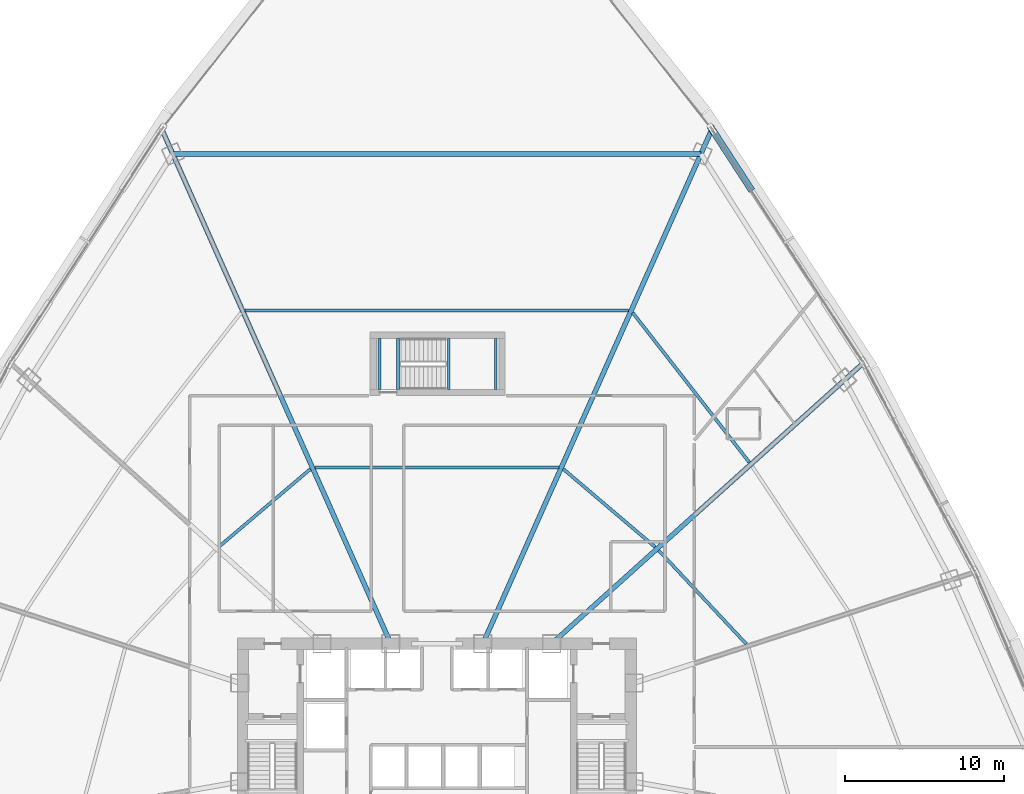
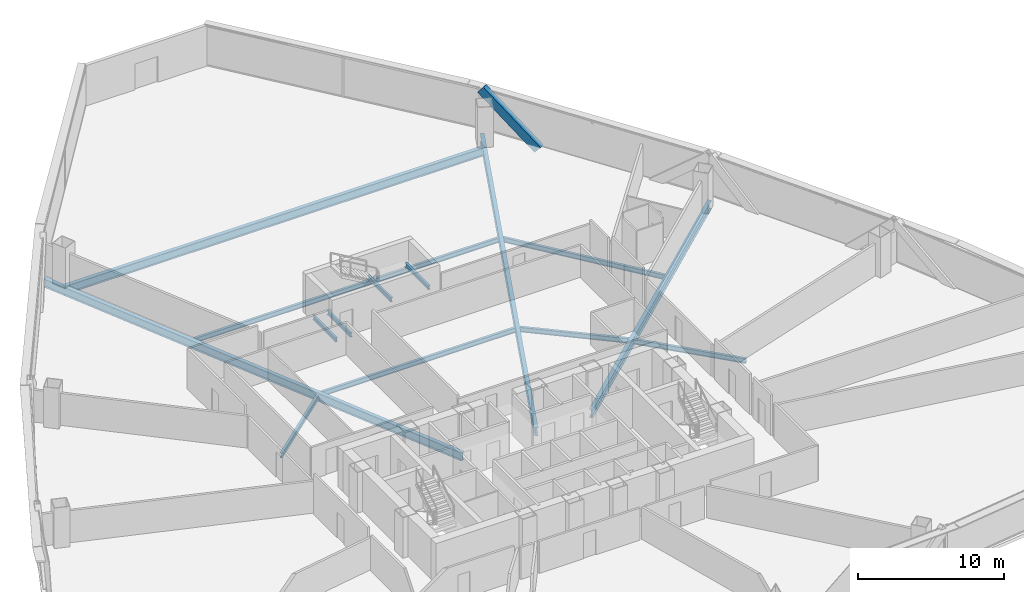
# One storey, part 19 of 42: 14 beams, 1 member.
"""IFC4 building model written with IfcOpenShell, lengths in metres."""

from ifc_helpers import new_model, si_unit, direction, frame, origin, origin_2d, place, context, subcontext, project, spatial, hollow_rectangle, i_section, extrude, source, transform, mapped, material, material_profile, profile_set, type_object, element, save


model = new_model("IFC4")

# Units and contexts
model_context = context("Model", 3, precision=1e-05, world=origin(), true_north=direction((0.0, 1.0)))
body_context = subcontext(model_context, "Body", "Model", "MODEL_VIEW")
ifc_project = project(units=[si_unit("LENGTHUNIT", "METRE"), si_unit("AREAUNIT", "SQUARE_METRE"), si_unit("VOLUMEUNIT", "CUBIC_METRE"), si_unit("PLANEANGLEUNIT", "RADIAN"), si_unit("MASSUNIT", "GRAM", prefix="KILO"), si_unit("THERMODYNAMICTEMPERATUREUNIT", "KELVIN"), si_unit("POWERUNIT", "WATT")], contexts=[model_context])

# Site, building, storey
site_placement = place(None, origin())
site = spatial("IfcSite", under=ifc_project, at=site_placement, CompositionType="ELEMENT")
building_placement = place(site_placement, origin())
building = spatial("IfcBuilding", under=site, at=building_placement, Name="Yunzhuo Pagoda Commons", CompositionType="ELEMENT")
storey_placement = place(building_placement, frame((0.0, 0.0, 44.919921875)))
storey = spatial("IfcBuildingStorey", under=building, at=storey_placement, Name="L11", CompositionType="ELEMENT", Elevation=44.919921875)

# Beams
ifc_material_1 = material(Name="Structural steel Q355B", Category="steel")
ifc_material_profile_1 = material_profile(ifc_material_1, i_section(OverallWidth=0.175048828125, OverallDepth=0.35009765625, WebThickness=0.007080078125, FlangeThickness=0.010986328125, at=origin_2d()), Name="Structural steel Q355B")
ifc_profile_set_1 = profile_set([ifc_material_profile_1], Name="Structural steel Q355B")
beam_type_1 = type_object("IfcBeamType", Name="B-JS2 Joist HN 350x175x7x11", PredefinedType="JOIST", material=ifc_profile_set_1)
shared_shape_1 = source(origin(), body_context, "Body", "SweptSolid", [
    extrude(i_section(OverallWidth=0.175048828125, OverallDepth=0.35009765625, WebThickness=0.007080078125, FlangeThickness=0.010986328125, at=origin_2d()), origin(), (0.0, 0.0, 1.0), 3.199951171875),
])
for number, where, z_axis, x_axis, name in (
    (1, (48.75, 56.199951171875, 1.440185546875), (0.0, 1.0, 0.0), (-1.0, 0.0, 0.0), "L11 ST3 landing support beam 15A"),
    (2, (51.699951171875, 56.199951171875, 1.440185546875), (0.0, 1.0, 0.0), (-1.0, 0.0, 0.0), "L11 ST3 landing support beam 15B"),
    (3, (44.39990234375, 56.199951171875, -0.375), (0.0, 1.0, 0.0), (-1.0, 0.0, 0.0), "L11 ST3 landing support beam 85A"),
    (4, (45.550048828125, 56.199951171875, -0.375), (0.0, 1.0, 0.0), (-1.0, 0.0, 0.0), "L11 ST3 landing support beam 85B"),
):
    element("IfcBeam", number, at=place(storey_placement, frame(where, z_axis=z_axis, x_axis=x_axis)), inside=storey, type_object=beam_type_1, Name=name, PredefinedType="JOIST", context=body_context, shape_type="MappedRepresentation", body=[
        mapped(shared_shape_1, transform((0.0, 0.0, 0.0), scale=1.0)),
    ])
ifc_material_profile_2 = material_profile(ifc_material_1, i_section(OverallWidth=0.300048828125, OverallDepth=0.699951171875, WebThickness=0.012939453125, FlangeThickness=0.02392578125, at=origin_2d()), Name="Structural steel Q355B")
ifc_profile_set_2 = profile_set([ifc_material_profile_2], Name="Structural steel Q355B")
beam_type_2 = type_object("IfcBeamType", Name="B-RG1 Beam HN 700x300x13x24", PredefinedType="BEAM", material=ifc_profile_set_2)
shared_shape_2 = source(origin(), body_context, "Body", "SweptSolid", [
    extrude(i_section(OverallWidth=0.300048828125, OverallDepth=0.699951171875, WebThickness=0.012939453125, FlangeThickness=0.02392578125, at=origin_2d()), origin(), (0.0, 0.0, 1.0), 33.2216796875),
])
beam_1_placement = place(storey_placement, frame((64.61083984375, 71.008544921875, -0.60986328125), z_axis=(-1.0, 0.0, 0.0), x_axis=(0.0, -1.0, 0.0)))
element("IfcBeam", 5, at=beam_1_placement, inside=storey, type_object=beam_type_2, Name="L11 column-ring beam 8", PredefinedType="BEAM", context=body_context, shape_type="MappedRepresentation", body=[
    mapped(shared_shape_2, transform((0.0, 0.0, 0.0), scale=1.0)),
])
ifc_material_profile_3 = material_profile(ifc_material_1, i_section(OverallWidth=0.199951171875, OverallDepth=0.39990234375, WebThickness=0.008056640625, FlangeThickness=0.012939453125, at=origin_2d()), Name="Structural steel Q355B")
ifc_profile_set_3 = profile_set([ifc_material_profile_3], Name="Structural steel Q355B")
beam_type_3 = type_object("IfcBeamType", Name="B-JS1 Joist HN 400x200x8x13", PredefinedType="JOIST", material=ifc_profile_set_3)
shared_shape_3 = source(origin(), body_context, "Body", "SweptSolid", [
    extrude(i_section(OverallWidth=0.199951171875, OverallDepth=0.39990234375, WebThickness=0.008056640625, FlangeThickness=0.012939453125, at=origin_2d()), origin(), (0.0, 0.0, 1.0), 8.055908203125),
])
beam_2_placement = place(storey_placement, frame((67.468017578125, 40.177001953125, -0.4599609375), z_axis=(-0.683432879027, 0.730013355949, 0.0), x_axis=(-0.730013355949, -0.683432879027, 0.0)))
element("IfcBeam", 6, at=beam_2_placement, inside=storey, type_object=beam_type_3, Name="L11 composite ring joist 1.6", PredefinedType="JOIST", context=body_context, shape_type="MappedRepresentation", body=[
    mapped(shared_shape_3, transform((0.0, 0.0, 0.0), scale=1.0)),
])
shared_shape_4 = source(origin(), body_context, "Body", "SweptSolid", [
    extrude(i_section(OverallWidth=0.199951171875, OverallDepth=0.39990234375, WebThickness=0.008056640625, FlangeThickness=0.012939453125, at=origin_2d()), origin(), (0.0, 0.0, 1.0), 7.583984375),
])
for number, where, z_axis, x_axis, name in (
    (7, (61.732421875, 46.277099609375, -0.4599609375), (-0.762037799133, 0.647532541803, 0.0), (-0.647532541803, -0.762037799133, 0.0), "L11 composite ring joist 1.7"),
    (8, (40.046875, 51.18798828125, -0.4599609375), (-0.762037799133, -0.647532541803, 0.0), (0.647532541803, -0.762037799133, 0.0), "L11 composite ring joist 1.9"),
):
    element("IfcBeam", number, at=place(storey_placement, frame(where, z_axis=z_axis, x_axis=x_axis)), inside=storey, type_object=beam_type_3, Name=name, PredefinedType="JOIST", context=body_context, shape_type="MappedRepresentation", body=[
        mapped(shared_shape_4, transform((0.0, 0.0, 0.0), scale=1.0)),
    ])
shared_shape_5 = source(origin(), body_context, "Body", "SweptSolid", [
    extrude(i_section(OverallWidth=0.199951171875, OverallDepth=0.39990234375, WebThickness=0.008056640625, FlangeThickness=0.012939453125, at=origin_2d()), origin(), (0.0, 0.0, 1.0), 11.9345703125),
])
beam_3_placement = place(storey_placement, frame((67.65380859375, 51.609619140625, -0.4599609375), z_axis=(-0.614572048085, 0.788860696012, 0.0), x_axis=(-0.788860696012, -0.614572048085, 0.0)))
element("IfcBeam", 9, at=beam_3_placement, inside=storey, type_object=beam_type_3, Name="L11 composite ring joist 2.7", PredefinedType="JOIST", context=body_context, shape_type="MappedRepresentation", body=[
    mapped(shared_shape_5, transform((0.0, 0.0, 0.0), scale=1.0)),
])
shared_shape_6 = source(origin(), body_context, "Body", "SweptSolid", [
    extrude(i_section(OverallWidth=0.199951171875, OverallDepth=0.39990234375, WebThickness=0.008056640625, FlangeThickness=0.012939453125, at=origin_2d()), origin(), (0.0, 0.0, 1.0), 15.34619140625),
])
beam_4_placement = place(storey_placement, frame((55.673095703125, 51.291015625, -0.4599609375), z_axis=(-1.0, 0.0, 0.0), x_axis=(0.0, -1.0, 0.0)))
element("IfcBeam", 10, at=beam_4_placement, inside=storey, type_object=beam_type_3, Name="L11 composite ring joist 1.8", PredefinedType="JOIST", context=body_context, shape_type="MappedRepresentation", body=[
    mapped(shared_shape_6, transform((0.0, 0.0, 0.0), scale=1.0)),
])
shared_shape_7 = source(origin(), body_context, "Body", "SweptSolid", [
    extrude(i_section(OverallWidth=0.199951171875, OverallDepth=0.39990234375, WebThickness=0.008056640625, FlangeThickness=0.012939453125, at=origin_2d()), origin(), (0.0, 0.0, 1.0), 24.125),
])
beam_5_placement = place(storey_placement, frame((60.0625, 61.14990234375, -0.4599609375), z_axis=(-1.0, 0.0, 0.0), x_axis=(0.0, -1.0, 0.0)))
element("IfcBeam", 11, at=beam_5_placement, inside=storey, type_object=beam_type_3, Name="L11 composite ring joist 2.8", PredefinedType="JOIST", context=body_context, shape_type="MappedRepresentation", body=[
    mapped(shared_shape_7, transform((0.0, 0.0, 0.0), scale=1.0)),
])
shared_shape_8 = source(origin(), body_context, "Body", "SweptSolid", [
    extrude(i_section(OverallWidth=0.300048828125, OverallDepth=0.699951171875, WebThickness=0.012939453125, FlangeThickness=0.02392578125, at=origin_2d()), origin(), (0.0, 0.0, 1.0), 26.257568359375),
])
beam_6_placement = place(storey_placement, frame((74.732177734375, 57.769775390625, -0.60986328125), z_axis=(-0.743143409048, -0.66913217946, 0.0), x_axis=(0.66913217946, -0.743143409048, 0.0)))
element("IfcBeam", 12, at=beam_6_placement, inside=storey, type_object=beam_type_2, Name="L11 radial floor girder F2C3", PredefinedType="BEAM", context=body_context, shape_type="MappedRepresentation", body=[
    mapped(shared_shape_8, transform((0.0, 0.0, 0.0), scale=1.0)),
])
shared_shape_9 = source(origin(), body_context, "Body", "SweptSolid", [
    extrude(i_section(OverallWidth=0.300048828125, OverallDepth=0.699951171875, WebThickness=0.012939453125, FlangeThickness=0.02392578125, at=origin_2d()), origin(), (0.0, 0.0, 1.0), 35.277099609375),
])
for number, where, z_axis, x_axis, name in (
    (13, (65.242431640625, 72.42724609375, -0.60986328125), (-0.406733627292, -0.91354680035, 0.0), (0.91354680035, -0.406733627292, 0.0), "L11 radial floor girder F2C4"),
    (14, (30.757568359375, 72.42724609375, -0.60986328125), (0.406733627292, -0.91354680035, 0.0), (0.91354680035, 0.406733627292, 0.0), "L11 radial floor girder F3C1"),
):
    element("IfcBeam", number, at=place(storey_placement, frame(where, z_axis=z_axis, x_axis=x_axis)), inside=storey, type_object=beam_type_2, Name=name, PredefinedType="BEAM", context=body_context, shape_type="MappedRepresentation", body=[
        mapped(shared_shape_9, transform((0.0, 0.0, 0.0), scale=1.0)),
    ])

# Member
ifc_material_2 = material(Name="Structural steel Q420B", Category="steel")
ifc_material_profile_4 = material_profile(ifc_material_2, hollow_rectangle(XDim=0.419921875, YDim=0.719970703125, WallThickness=0.028076171875, at=origin_2d()), Name="Structural steel Q420B")
ifc_profile_set_4 = profile_set([ifc_material_profile_4], Name="Structural steel Q420B")
member_type = type_object("IfcMemberType", Name="M-DL1 Brace BOX 720x420x28", PredefinedType="BRACE", material=ifc_profile_set_4)
shared_shape_10 = source(origin(), body_context, "Body", "SweptSolid", [
    extrude(hollow_rectangle(XDim=0.419921875, YDim=0.719970703125, WallThickness=0.028076171875, at=origin_2d()), origin(), (0.0, 0.0, 1.0), 5.68896484375),
])
member_placement = place(storey_placement, frame((67.69091796875, 68.895263671875, -0.260009765625), z_axis=(-0.41932462923, 0.645745337839, 0.638106428412), x_axis=(-0.838686761219, -0.544614098749, 0.0)))
element("IfcMember", 15, at=member_placement, inside=storey, type_object=member_type, Name="L11 facade diamond brace F2.3R", PredefinedType="BRACE", context=body_context, shape_type="MappedRepresentation", body=[
    mapped(shared_shape_10, transform((0.0, 0.0, 0.0), scale=1.0)),
])

save(model, "model.ifc")
